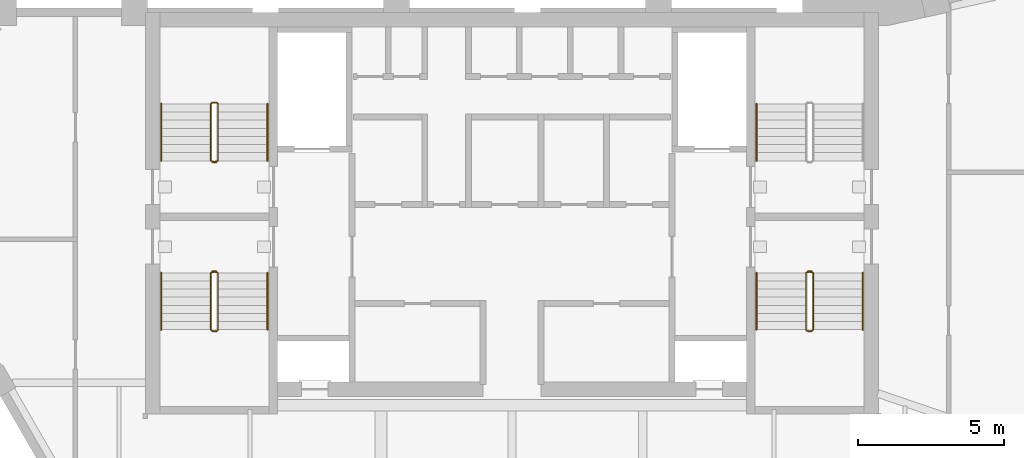
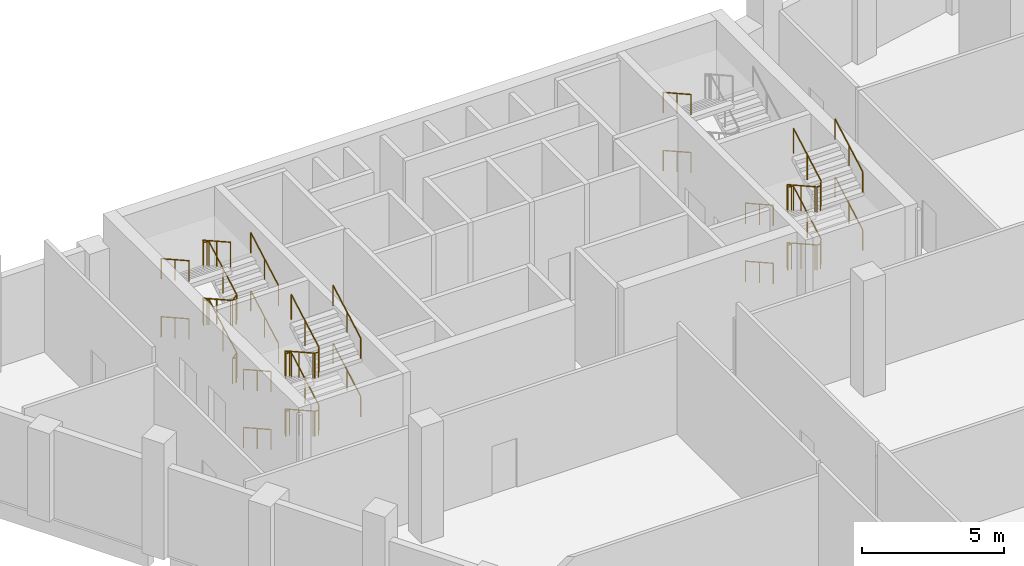
# One storey, part 8 of 9: 17 railings.
"""IFC4 building model written with IfcOpenShell, lengths in metres."""

from ifc_helpers import new_model, si_unit, direction, frame, origin, origin_2d, place, context, subcontext, project, spatial, circle, extrude, material, type_object, element, save


model = new_model("IFC4")

# Units and contexts
model_context = context("Model", 3, precision=1e-05, world=origin(), true_north=direction((0.0, 1.0)))
body_context = subcontext(model_context, "Body", "Model", "MODEL_VIEW")
ifc_project = project(units=[si_unit("LENGTHUNIT", "METRE"), si_unit("AREAUNIT", "SQUARE_METRE"), si_unit("VOLUMEUNIT", "CUBIC_METRE"), si_unit("PLANEANGLEUNIT", "RADIAN"), si_unit("MASSUNIT", "GRAM", prefix="KILO")], contexts=[model_context])

# Site, building, storey
site_placement = place(None, origin())
site = spatial("IfcSite", under=ifc_project, at=site_placement, CompositionType="ELEMENT")
building_placement = place(site_placement, origin())
building = spatial("IfcBuilding", under=site, at=building_placement, Name="Calabash Gate Tower", CompositionType="ELEMENT")
storey_placement = place(building_placement, frame((0.0, 0.0, 315.5)))
storey = spatial("IfcBuildingStorey", under=building, at=storey_placement, Name="L74", CompositionType="ELEMENT", Elevation=315.5)

# Railings
ifc_material_1 = material(Name="Black powder-coated steel balusters", Category="steel")
railing_type_1 = type_object("IfcRailingType", Name="Stair guard RL1100", PredefinedType="GUARDRAIL", material=ifc_material_1)
railing_1_placement = place(storey_placement, frame((-10.14990234375, 13.902587890625, 0.0)))
element("IfcRailing", 1, at=railing_1_placement, inside=storey, type_object=railing_type_1, Name="L74 ST1 stair guard 1", PredefinedType="GUARDRAIL", context=body_context, shape_type="SweptSolid", body=[
    extrude(circle(Radius=0.02392578125, at=origin_2d()), frame((0.0, 0.0, 1.076171875), z_axis=(-1.0, 0.0, 0.0), x_axis=(0.0, -1.0, 0.0)), (0.0, 0.0, 1.0), 0.150146484375),
    extrude(circle(Radius=0.02392578125, at=origin_2d()), frame((-0.150146484375, 0.0, 1.076171875), z_axis=(0.77305925043, 0.19350078918, 0.604100024756), x_axis=(-0.242814311512, 0.970072785993, 0.0)), (0.0, 0.0, 1.0), 0.258544921875),
    extrude(circle(Radius=0.02392578125, at=origin_2d()), frame((0.0498046875, 0.050048828125, 1.232421875), z_axis=(0.0, 0.872479975208, 0.48864986735), x_axis=(-1.0, 0.0, 0.0)), (0.0, 0.0, 1.0), 2.23828125),
    extrude(circle(Radius=0.02392578125, at=origin_2d()), frame((0.0498046875, 2.0029296875, 2.326171875), z_axis=(-0.705375805398, 0.708833529934, 0.0), x_axis=(-0.708833529934, -0.705375805398, 0.0)), (0.0, 0.0, 1.0), 0.070556640625),
    extrude(circle(Radius=0.02392578125, at=origin_2d()), frame((0.0, 2.052978515625, 2.326171875), z_axis=(-1.0, 0.0, 0.0), x_axis=(0.0, -1.0, 0.0)), (0.0, 0.0, 1.0), 0.150146484375),
    extrude(circle(Radius=0.02392578125, at=origin_2d()), frame((-0.150146484375, 2.052978515625, 2.326171875), z_axis=(-0.29177245553, -0.29177245553, 0.91089937336), x_axis=(0.707106781187, -0.707106781187, 0.0)), (0.0, 0.0, 1.0), 0.171630859375),
    extrude(circle(Radius=0.02392578125, at=origin_2d()), frame((-0.2001953125, 2.0029296875, 2.482421875), z_axis=(0.0, -0.872479975208, 0.48864986735), x_axis=(1.0, 0.0, 0.0)), (0.0, 0.0, 1.0), 2.23828125),
    extrude(circle(Radius=0.02392578125, at=origin_2d()), frame((-0.2001953125, 0.050048828125, 3.576171875), z_axis=(0.970142500145, -0.242535625036, 0.0), x_axis=(0.242535625036, 0.970142500145, 0.0)), (0.0, 0.0, 1.0), 0.206298828125),
    extrude(circle(Radius=0.02392578125, at=origin_2d()), frame((0.0, 0.0, 3.576171875), z_axis=(-1.0, 0.0, 0.0), x_axis=(0.0, -1.0, 0.0)), (0.0, 0.0, 1.0), 0.150146484375),
    extrude(circle(Radius=0.02392578125, at=origin_2d()), frame((-0.150146484375, 0.0, 3.576171875), z_axis=(0.77305925043, 0.19350078918, 0.604100024756), x_axis=(-0.242814311512, 0.970072785993, 0.0)), (0.0, 0.0, 1.0), 0.258544921875),
    extrude(circle(Radius=0.02392578125, at=origin_2d()), frame((0.0498046875, 0.050048828125, 3.732421875), z_axis=(0.0, 0.872479975208, 0.48864986735), x_axis=(-1.0, 0.0, 0.0)), (0.0, 0.0, 1.0), 2.23828125),
    extrude(circle(Radius=0.02392578125, at=origin_2d()), frame((0.0498046875, 2.0029296875, 4.826171875), z_axis=(-0.705375805398, 0.708833529934, 0.0), x_axis=(-0.708833529934, -0.705375805398, 0.0)), (0.0, 0.0, 1.0), 0.070556640625),
    extrude(circle(Radius=0.02392578125, at=origin_2d()), frame((0.0, 2.052978515625, 4.826171875), z_axis=(-1.0, 0.0, 0.0), x_axis=(0.0, -1.0, 0.0)), (0.0, 0.0, 1.0), 0.150146484375),
    extrude(circle(Radius=0.02392578125, at=origin_2d()), frame((-0.150146484375, 2.052978515625, 4.826171875), z_axis=(-0.29177245553, -0.29177245553, 0.91089937336), x_axis=(0.707106781187, -0.707106781187, 0.0)), (0.0, 0.0, 1.0), 0.171630859375),
    extrude(circle(Radius=0.02392578125, at=origin_2d()), frame((-0.2001953125, 2.0029296875, 4.982421875), z_axis=(0.0, -0.872479975208, 0.48864986735), x_axis=(1.0, 0.0, 0.0)), (0.0, 0.0, 1.0), 2.23828125),
    extrude(circle(Radius=0.02099609375, at=origin_2d()), origin(), (0.0, 0.0, 1.0), 1.052001953125),
    extrude(circle(Radius=0.02099609375, at=origin_2d()), frame((-0.150146484375, 0.0, 0.0)), (0.0, 0.0, 1.0), 1.052001953125),
    extrude(circle(Radius=0.02099609375, at=origin_2d()), frame((0.0498046875, 0.050048828125, 0.15625)), (0.0, 0.0, 1.0), 1.052001953125),
    extrude(circle(Radius=0.02099609375, at=origin_2d()), frame((0.0498046875, 1.0263671875, 0.703125)), (0.0, 0.0, 1.0), 1.052001953125),
    extrude(circle(Radius=0.02099609375, at=origin_2d()), frame((0.0498046875, 2.0029296875, 1.25)), (0.0, 0.0, 1.0), 1.052001953125),
    extrude(circle(Radius=0.02099609375, at=origin_2d()), frame((0.0, 2.052978515625, 1.25)), (0.0, 0.0, 1.0), 1.052001953125),
    extrude(circle(Radius=0.02099609375, at=origin_2d()), frame((-0.150146484375, 2.052978515625, 1.25)), (0.0, 0.0, 1.0), 1.052001953125),
    extrude(circle(Radius=0.02099609375, at=origin_2d()), frame((-0.2001953125, 2.0029296875, 1.40625)), (0.0, 0.0, 1.0), 1.052001953125),
    extrude(circle(Radius=0.02099609375, at=origin_2d()), frame((-0.2001953125, 1.0263671875, 1.953125)), (0.0, 0.0, 1.0), 1.052001953125),
    extrude(circle(Radius=0.02099609375, at=origin_2d()), frame((-0.2001953125, 0.050048828125, 2.5)), (0.0, 0.0, 1.0), 1.052001953125),
    extrude(circle(Radius=0.02099609375, at=origin_2d()), frame((0.0, 0.0, 2.5)), (0.0, 0.0, 1.0), 1.052001953125),
    extrude(circle(Radius=0.02099609375, at=origin_2d()), frame((-0.150146484375, 0.0, 2.5)), (0.0, 0.0, 1.0), 1.052001953125),
    extrude(circle(Radius=0.02099609375, at=origin_2d()), frame((0.0498046875, 0.050048828125, 2.65625)), (0.0, 0.0, 1.0), 1.052001953125),
    extrude(circle(Radius=0.02099609375, at=origin_2d()), frame((0.0498046875, 1.0263671875, 3.203125)), (0.0, 0.0, 1.0), 1.052001953125),
    extrude(circle(Radius=0.02099609375, at=origin_2d()), frame((0.0498046875, 2.0029296875, 3.75)), (0.0, 0.0, 1.0), 1.052001953125),
    extrude(circle(Radius=0.02099609375, at=origin_2d()), frame((0.0, 2.052978515625, 3.75)), (0.0, 0.0, 1.0), 1.052001953125),
    extrude(circle(Radius=0.02099609375, at=origin_2d()), frame((-0.150146484375, 2.052978515625, 3.75)), (0.0, 0.0, 1.0), 1.052001953125),
    extrude(circle(Radius=0.02099609375, at=origin_2d()), frame((-0.2001953125, 2.0029296875, 3.90625)), (0.0, 0.0, 1.0), 1.052001953125),
    extrude(circle(Radius=0.02099609375, at=origin_2d()), frame((-0.2001953125, 1.0263671875, 4.453125)), (0.0, 0.0, 1.0), 1.052001953125),
    extrude(circle(Radius=0.02099609375, at=origin_2d()), frame((-0.2001953125, 0.050048828125, 5.0)), (0.0, 0.0, 1.0), 1.052001953125),
])
railing_2_placement = place(storey_placement, frame((-10.300048828125, 10.152587890625, 0.0)))
element("IfcRailing", 2, at=railing_2_placement, inside=storey, type_object=railing_type_1, Name="L74 ST2 stair guard 1", PredefinedType="GUARDRAIL", context=body_context, shape_type="SweptSolid", body=[
    extrude(circle(Radius=0.02392578125, at=origin_2d()), frame((0.0, 0.0, 1.076171875), z_axis=(1.0, 0.0, 0.0), x_axis=(0.0, 1.0, 0.0)), (0.0, 0.0, 1.0), 0.150146484375),
    extrude(circle(Radius=0.02392578125, at=origin_2d()), frame((0.150146484375, 0.0, 1.076171875), z_axis=(-0.773438643492, -0.193359660873, 0.603659429067), x_axis=(0.242535625036, -0.970142500145, 0.0)), (0.0, 0.0, 1.0), 0.2587890625),
    extrude(circle(Radius=0.02392578125, at=origin_2d()), frame((-0.050048828125, -0.050048828125, 1.232421875), z_axis=(0.0, -0.872479975208, 0.48864986735), x_axis=(1.0, 0.0, 0.0)), (0.0, 0.0, 1.0), 2.23828125),
    extrude(circle(Radius=0.02392578125, at=origin_2d()), frame((-0.050048828125, -2.0029296875, 2.326171875), z_axis=(0.707106781187, -0.707106781187, 0.0), x_axis=(0.707106781187, 0.707106781187, 0.0)), (0.0, 0.0, 1.0), 0.07080078125),
    extrude(circle(Radius=0.02392578125, at=origin_2d()), frame((0.0, -2.052978515625, 2.326171875), z_axis=(1.0, 0.0, 0.0), x_axis=(0.0, 1.0, 0.0)), (0.0, 0.0, 1.0), 0.150146484375),
    extrude(circle(Radius=0.02392578125, at=origin_2d()), frame((0.150146484375, -2.052978515625, 2.326171875), z_axis=(0.290469530425, 0.291893400672, 0.911276958196), x_axis=(-0.708833529934, 0.705375805398, 0.0)), (0.0, 0.0, 1.0), 0.17138671875),
    extrude(circle(Radius=0.02392578125, at=origin_2d()), frame((0.199951171875, -2.0029296875, 2.482421875), z_axis=(0.0, 0.872479975208, 0.48864986735), x_axis=(-1.0, 0.0, 0.0)), (0.0, 0.0, 1.0), 2.23828125),
    extrude(circle(Radius=0.02392578125, at=origin_2d()), frame((0.199951171875, -0.050048828125, 3.576171875), z_axis=(-0.970072785993, 0.242814311512, 0.0), x_axis=(-0.242814311512, -0.970072785993, 0.0)), (0.0, 0.0, 1.0), 0.2060546875),
    extrude(circle(Radius=0.02392578125, at=origin_2d()), frame((0.0, 0.0, 3.576171875), z_axis=(1.0, 0.0, 0.0), x_axis=(0.0, 1.0, 0.0)), (0.0, 0.0, 1.0), 0.150146484375),
    extrude(circle(Radius=0.02392578125, at=origin_2d()), frame((0.150146484375, 0.0, 3.576171875), z_axis=(-0.773438643492, -0.193359660873, 0.603659429067), x_axis=(0.242535625036, -0.970142500145, 0.0)), (0.0, 0.0, 1.0), 0.2587890625),
    extrude(circle(Radius=0.02392578125, at=origin_2d()), frame((-0.050048828125, -0.050048828125, 3.732421875), z_axis=(0.0, -0.872479975208, 0.48864986735), x_axis=(1.0, 0.0, 0.0)), (0.0, 0.0, 1.0), 2.23828125),
    extrude(circle(Radius=0.02392578125, at=origin_2d()), frame((-0.050048828125, -2.0029296875, 4.826171875), z_axis=(0.707106781187, -0.707106781187, 0.0), x_axis=(0.707106781187, 0.707106781187, 0.0)), (0.0, 0.0, 1.0), 0.07080078125),
    extrude(circle(Radius=0.02392578125, at=origin_2d()), frame((0.0, -2.052978515625, 4.826171875), z_axis=(1.0, 0.0, 0.0), x_axis=(0.0, 1.0, 0.0)), (0.0, 0.0, 1.0), 0.150146484375),
    extrude(circle(Radius=0.02392578125, at=origin_2d()), frame((0.150146484375, -2.052978515625, 4.826171875), z_axis=(0.290469530425, 0.291893400672, 0.911276958196), x_axis=(-0.708833529934, 0.705375805398, 0.0)), (0.0, 0.0, 1.0), 0.17138671875),
    extrude(circle(Radius=0.02392578125, at=origin_2d()), frame((0.199951171875, -2.0029296875, 4.982421875), z_axis=(0.0, 0.872479975208, 0.48864986735), x_axis=(-1.0, 0.0, 0.0)), (0.0, 0.0, 1.0), 2.23828125),
    extrude(circle(Radius=0.02099609375, at=origin_2d()), origin(), (0.0, 0.0, 1.0), 1.052001953125),
    extrude(circle(Radius=0.02099609375, at=origin_2d()), frame((0.150146484375, 0.0, 0.0)), (0.0, 0.0, 1.0), 1.052001953125),
    extrude(circle(Radius=0.02099609375, at=origin_2d()), frame((-0.050048828125, -0.050048828125, 0.15625)), (0.0, 0.0, 1.0), 1.052001953125),
    extrude(circle(Radius=0.02099609375, at=origin_2d()), frame((-0.050048828125, -1.0263671875, 0.703125)), (0.0, 0.0, 1.0), 1.052001953125),
    extrude(circle(Radius=0.02099609375, at=origin_2d()), frame((-0.050048828125, -2.0029296875, 1.25)), (0.0, 0.0, 1.0), 1.052001953125),
    extrude(circle(Radius=0.02099609375, at=origin_2d()), frame((0.0, -2.052978515625, 1.25)), (0.0, 0.0, 1.0), 1.052001953125),
    extrude(circle(Radius=0.02099609375, at=origin_2d()), frame((0.150146484375, -2.052978515625, 1.25)), (0.0, 0.0, 1.0), 1.052001953125),
    extrude(circle(Radius=0.02099609375, at=origin_2d()), frame((0.199951171875, -2.0029296875, 1.40625)), (0.0, 0.0, 1.0), 1.052001953125),
    extrude(circle(Radius=0.02099609375, at=origin_2d()), frame((0.199951171875, -1.0263671875, 1.953125)), (0.0, 0.0, 1.0), 1.052001953125),
    extrude(circle(Radius=0.02099609375, at=origin_2d()), frame((0.199951171875, -0.050048828125, 2.5)), (0.0, 0.0, 1.0), 1.052001953125),
    extrude(circle(Radius=0.02099609375, at=origin_2d()), frame((0.0, 0.0, 2.5)), (0.0, 0.0, 1.0), 1.052001953125),
    extrude(circle(Radius=0.02099609375, at=origin_2d()), frame((0.150146484375, 0.0, 2.5)), (0.0, 0.0, 1.0), 1.052001953125),
    extrude(circle(Radius=0.02099609375, at=origin_2d()), frame((-0.050048828125, -0.050048828125, 2.65625)), (0.0, 0.0, 1.0), 1.052001953125),
    extrude(circle(Radius=0.02099609375, at=origin_2d()), frame((-0.050048828125, -1.0263671875, 3.203125)), (0.0, 0.0, 1.0), 1.052001953125),
    extrude(circle(Radius=0.02099609375, at=origin_2d()), frame((-0.050048828125, -2.0029296875, 3.75)), (0.0, 0.0, 1.0), 1.052001953125),
    extrude(circle(Radius=0.02099609375, at=origin_2d()), frame((0.0, -2.052978515625, 3.75)), (0.0, 0.0, 1.0), 1.052001953125),
    extrude(circle(Radius=0.02099609375, at=origin_2d()), frame((0.150146484375, -2.052978515625, 3.75)), (0.0, 0.0, 1.0), 1.052001953125),
    extrude(circle(Radius=0.02099609375, at=origin_2d()), frame((0.199951171875, -2.0029296875, 3.90625)), (0.0, 0.0, 1.0), 1.052001953125),
    extrude(circle(Radius=0.02099609375, at=origin_2d()), frame((0.199951171875, -1.0263671875, 4.453125)), (0.0, 0.0, 1.0), 1.052001953125),
    extrude(circle(Radius=0.02099609375, at=origin_2d()), frame((0.199951171875, -0.050048828125, 5.0)), (0.0, 0.0, 1.0), 1.052001953125),
])
railing_3_placement = place(storey_placement, frame((10.14990234375, 10.152587890625, 0.0)))
element("IfcRailing", 3, at=railing_3_placement, inside=storey, type_object=railing_type_1, Name="L74 ST4 stair guard 1", PredefinedType="GUARDRAIL", context=body_context, shape_type="SweptSolid", body=[
    extrude(circle(Radius=0.02392578125, at=origin_2d()), frame((0.0, 0.0, 1.076171875), z_axis=(1.0, 0.0, 0.0), x_axis=(0.0, 1.0, 0.0)), (0.0, 0.0, 1.0), 0.150146484375),
    extrude(circle(Radius=0.02392578125, at=origin_2d()), frame((0.150146484375, 0.0, 1.076171875), z_axis=(-0.77305925043, -0.19350078918, 0.604100024756), x_axis=(0.242814311512, -0.970072785993, 0.0)), (0.0, 0.0, 1.0), 0.258544921875),
    extrude(circle(Radius=0.02392578125, at=origin_2d()), frame((-0.0498046875, -0.050048828125, 1.232421875), z_axis=(0.0, -0.872479975208, 0.48864986735), x_axis=(1.0, 0.0, 0.0)), (0.0, 0.0, 1.0), 2.23828125),
    extrude(circle(Radius=0.02392578125, at=origin_2d()), frame((-0.0498046875, -2.0029296875, 2.326171875), z_axis=(0.705375805398, -0.708833529934, 0.0), x_axis=(0.708833529934, 0.705375805398, 0.0)), (0.0, 0.0, 1.0), 0.070556640625),
    extrude(circle(Radius=0.02392578125, at=origin_2d()), frame((0.0, -2.052978515625, 2.326171875), z_axis=(1.0, 0.0, 0.0), x_axis=(0.0, 1.0, 0.0)), (0.0, 0.0, 1.0), 0.150146484375),
    extrude(circle(Radius=0.02392578125, at=origin_2d()), frame((0.150146484375, -2.052978515625, 2.326171875), z_axis=(0.29177245553, 0.29177245553, 0.91089937336), x_axis=(-0.707106781187, 0.707106781187, 0.0)), (0.0, 0.0, 1.0), 0.171630859375),
    extrude(circle(Radius=0.02392578125, at=origin_2d()), frame((0.2001953125, -2.0029296875, 2.482421875), z_axis=(0.0, 0.872479975208, 0.48864986735), x_axis=(-1.0, 0.0, 0.0)), (0.0, 0.0, 1.0), 2.23828125),
    extrude(circle(Radius=0.02392578125, at=origin_2d()), frame((0.2001953125, -0.050048828125, 3.576171875), z_axis=(-0.970142500145, 0.242535625036, 0.0), x_axis=(-0.242535625036, -0.970142500145, 0.0)), (0.0, 0.0, 1.0), 0.206298828125),
    extrude(circle(Radius=0.02392578125, at=origin_2d()), frame((0.0, 0.0, 3.576171875), z_axis=(1.0, 0.0, 0.0), x_axis=(0.0, 1.0, 0.0)), (0.0, 0.0, 1.0), 0.150146484375),
    extrude(circle(Radius=0.02392578125, at=origin_2d()), frame((0.150146484375, 0.0, 3.576171875), z_axis=(-0.77305925043, -0.19350078918, 0.604100024756), x_axis=(0.242814311512, -0.970072785993, 0.0)), (0.0, 0.0, 1.0), 0.258544921875),
    extrude(circle(Radius=0.02392578125, at=origin_2d()), frame((-0.0498046875, -0.050048828125, 3.732421875), z_axis=(0.0, -0.872479975208, 0.48864986735), x_axis=(1.0, 0.0, 0.0)), (0.0, 0.0, 1.0), 2.23828125),
    extrude(circle(Radius=0.02392578125, at=origin_2d()), frame((-0.0498046875, -2.0029296875, 4.826171875), z_axis=(0.705375805398, -0.708833529934, 0.0), x_axis=(0.708833529934, 0.705375805398, 0.0)), (0.0, 0.0, 1.0), 0.070556640625),
    extrude(circle(Radius=0.02392578125, at=origin_2d()), frame((0.0, -2.052978515625, 4.826171875), z_axis=(1.0, 0.0, 0.0), x_axis=(0.0, 1.0, 0.0)), (0.0, 0.0, 1.0), 0.150146484375),
    extrude(circle(Radius=0.02392578125, at=origin_2d()), frame((0.150146484375, -2.052978515625, 4.826171875), z_axis=(0.29177245553, 0.29177245553, 0.91089937336), x_axis=(-0.707106781187, 0.707106781187, 0.0)), (0.0, 0.0, 1.0), 0.171630859375),
    extrude(circle(Radius=0.02392578125, at=origin_2d()), frame((0.2001953125, -2.0029296875, 4.982421875), z_axis=(0.0, 0.872479975208, 0.48864986735), x_axis=(-1.0, 0.0, 0.0)), (0.0, 0.0, 1.0), 2.23828125),
    extrude(circle(Radius=0.02099609375, at=origin_2d()), origin(), (0.0, 0.0, 1.0), 1.052001953125),
    extrude(circle(Radius=0.02099609375, at=origin_2d()), frame((0.150146484375, 0.0, 0.0)), (0.0, 0.0, 1.0), 1.052001953125),
    extrude(circle(Radius=0.02099609375, at=origin_2d()), frame((-0.0498046875, -0.050048828125, 0.15625)), (0.0, 0.0, 1.0), 1.052001953125),
    extrude(circle(Radius=0.02099609375, at=origin_2d()), frame((-0.0498046875, -1.0263671875, 0.703125)), (0.0, 0.0, 1.0), 1.052001953125),
    extrude(circle(Radius=0.02099609375, at=origin_2d()), frame((-0.0498046875, -2.0029296875, 1.25)), (0.0, 0.0, 1.0), 1.052001953125),
    extrude(circle(Radius=0.02099609375, at=origin_2d()), frame((0.0, -2.052978515625, 1.25)), (0.0, 0.0, 1.0), 1.052001953125),
    extrude(circle(Radius=0.02099609375, at=origin_2d()), frame((0.150146484375, -2.052978515625, 1.25)), (0.0, 0.0, 1.0), 1.052001953125),
    extrude(circle(Radius=0.02099609375, at=origin_2d()), frame((0.2001953125, -2.0029296875, 1.40625)), (0.0, 0.0, 1.0), 1.052001953125),
    extrude(circle(Radius=0.02099609375, at=origin_2d()), frame((0.2001953125, -1.0263671875, 1.953125)), (0.0, 0.0, 1.0), 1.052001953125),
    extrude(circle(Radius=0.02099609375, at=origin_2d()), frame((0.2001953125, -0.050048828125, 2.5)), (0.0, 0.0, 1.0), 1.052001953125),
    extrude(circle(Radius=0.02099609375, at=origin_2d()), frame((0.0, 0.0, 2.5)), (0.0, 0.0, 1.0), 1.052001953125),
    extrude(circle(Radius=0.02099609375, at=origin_2d()), frame((0.150146484375, 0.0, 2.5)), (0.0, 0.0, 1.0), 1.052001953125),
    extrude(circle(Radius=0.02099609375, at=origin_2d()), frame((-0.0498046875, -0.050048828125, 2.65625)), (0.0, 0.0, 1.0), 1.052001953125),
    extrude(circle(Radius=0.02099609375, at=origin_2d()), frame((-0.0498046875, -1.0263671875, 3.203125)), (0.0, 0.0, 1.0), 1.052001953125),
    extrude(circle(Radius=0.02099609375, at=origin_2d()), frame((-0.0498046875, -2.0029296875, 3.75)), (0.0, 0.0, 1.0), 1.052001953125),
    extrude(circle(Radius=0.02099609375, at=origin_2d()), frame((0.0, -2.052978515625, 3.75)), (0.0, 0.0, 1.0), 1.052001953125),
    extrude(circle(Radius=0.02099609375, at=origin_2d()), frame((0.150146484375, -2.052978515625, 3.75)), (0.0, 0.0, 1.0), 1.052001953125),
    extrude(circle(Radius=0.02099609375, at=origin_2d()), frame((0.2001953125, -2.0029296875, 3.90625)), (0.0, 0.0, 1.0), 1.052001953125),
    extrude(circle(Radius=0.02099609375, at=origin_2d()), frame((0.2001953125, -1.0263671875, 4.453125)), (0.0, 0.0, 1.0), 1.052001953125),
    extrude(circle(Radius=0.02099609375, at=origin_2d()), frame((0.2001953125, -0.050048828125, 5.0)), (0.0, 0.0, 1.0), 1.052001953125),
])
ifc_material_2 = material(Name="Black powder-coated steel tube 48 mm", Category="steel")
railing_type_2 = type_object("IfcRailingType", Name="Stair handrail RL900", PredefinedType="HANDRAIL", material=ifc_material_2)
railing_4_placement = place(storey_placement, frame((-8.39990234375, 13.95263671875, 0.15625)))
element("IfcRailing", 4, at=railing_4_placement, inside=storey, type_object=railing_type_2, Name="L74 ST1 stair handrail 1", PredefinedType="HANDRAIL", context=body_context, shape_type="SweptSolid", body=[
    extrude(circle(Radius=0.02392578125, at=origin_2d()), frame((0.0, 0.0, 0.8759765625), z_axis=(0.0, 0.872479975208, 0.48864986735), x_axis=(-1.0, 0.0, 0.0)), (0.0, 0.0, 1.0), 2.23828125),
    extrude(circle(Radius=0.02099609375, at=origin_2d()), origin(), (0.0, 0.0, 1.0), 0.851806640625),
    extrude(circle(Radius=0.02099609375, at=origin_2d()), frame((0.0, 0.9765625, 0.546875)), (0.0, 0.0, 1.0), 0.851806640625),
    extrude(circle(Radius=0.02099609375, at=origin_2d()), frame((0.0, 1.952880859375, 1.09375)), (0.0, 0.0, 1.0), 0.851806640625),
])
railing_5_placement = place(storey_placement, frame((-12.050048828125, 15.905517578125, 1.40625)))
element("IfcRailing", 5, at=railing_5_placement, inside=storey, type_object=railing_type_2, Name="L74 ST1 stair handrail 2", PredefinedType="HANDRAIL", context=body_context, shape_type="SweptSolid", body=[
    extrude(circle(Radius=0.02392578125, at=origin_2d()), frame((0.0, 0.0, 0.8759765625), z_axis=(0.0, -0.872479975208, 0.48864986735), x_axis=(1.0, 0.0, 0.0)), (0.0, 0.0, 1.0), 2.23828125),
    extrude(circle(Radius=0.02099609375, at=origin_2d()), origin(), (0.0, 0.0, 1.0), 0.851806640625),
    extrude(circle(Radius=0.02099609375, at=origin_2d()), frame((0.0, -0.9765625, 0.546875)), (0.0, 0.0, 1.0), 0.851806640625),
    extrude(circle(Radius=0.02099609375, at=origin_2d()), frame((0.0, -1.952880859375, 1.09375)), (0.0, 0.0, 1.0), 0.851806640625),
])
railing_6_placement = place(storey_placement, frame((-8.39990234375, 13.95263671875, 2.65625)))
element("IfcRailing", 6, at=railing_6_placement, inside=storey, type_object=railing_type_2, Name="L74 ST1 stair handrail 3", PredefinedType="HANDRAIL", context=body_context, shape_type="SweptSolid", body=[
    extrude(circle(Radius=0.02392578125, at=origin_2d()), frame((0.0, 0.0, 0.8759765625), z_axis=(0.0, 0.872479975208, 0.48864986735), x_axis=(-1.0, 0.0, 0.0)), (0.0, 0.0, 1.0), 2.23828125),
    extrude(circle(Radius=0.02099609375, at=origin_2d()), origin(), (0.0, 0.0, 1.0), 0.851806640625),
    extrude(circle(Radius=0.02099609375, at=origin_2d()), frame((0.0, 0.9765625, 0.546875)), (0.0, 0.0, 1.0), 0.851806640625),
    extrude(circle(Radius=0.02099609375, at=origin_2d()), frame((0.0, 1.952880859375, 1.09375)), (0.0, 0.0, 1.0), 0.851806640625),
])
for number, where, name in (
    (7, (-12.050048828125, 15.905517578125, 3.90625), "L74 ST1 stair handrail 4"),
    (8, (-12.050048828125, 10.1025390625, 0.15625), "L74 ST2 stair handrail 1"),
):
    element("IfcRailing", number, at=place(storey_placement, frame(where)), inside=storey, type_object=railing_type_2, Name=name, PredefinedType="HANDRAIL", context=body_context, shape_type="SweptSolid", body=[
        extrude(circle(Radius=0.02392578125, at=origin_2d()), frame((0.0, 0.0, 0.8759765625), z_axis=(0.0, -0.872479975208, 0.48864986735), x_axis=(1.0, 0.0, 0.0)), (0.0, 0.0, 1.0), 2.23828125),
        extrude(circle(Radius=0.02099609375, at=origin_2d()), origin(), (0.0, 0.0, 1.0), 0.851806640625),
        extrude(circle(Radius=0.02099609375, at=origin_2d()), frame((0.0, -0.9765625, 0.546875)), (0.0, 0.0, 1.0), 0.851806640625),
        extrude(circle(Radius=0.02099609375, at=origin_2d()), frame((0.0, -1.952880859375, 1.09375)), (0.0, 0.0, 1.0), 0.851806640625),
    ])
railing_7_placement = place(storey_placement, frame((-8.39990234375, 8.149658203125, 1.40625)))
element("IfcRailing", 9, at=railing_7_placement, inside=storey, type_object=railing_type_2, Name="L74 ST2 stair handrail 2", PredefinedType="HANDRAIL", context=body_context, shape_type="SweptSolid", body=[
    extrude(circle(Radius=0.02392578125, at=origin_2d()), frame((0.0, 0.0, 0.8759765625), z_axis=(0.0, 0.872479975208, 0.48864986735), x_axis=(-1.0, 0.0, 0.0)), (0.0, 0.0, 1.0), 2.23828125),
    extrude(circle(Radius=0.02099609375, at=origin_2d()), origin(), (0.0, 0.0, 1.0), 0.851806640625),
    extrude(circle(Radius=0.02099609375, at=origin_2d()), frame((0.0, 0.9765625, 0.546875)), (0.0, 0.0, 1.0), 0.851806640625),
    extrude(circle(Radius=0.02099609375, at=origin_2d()), frame((0.0, 1.952880859375, 1.09375)), (0.0, 0.0, 1.0), 0.851806640625),
])
railing_8_placement = place(storey_placement, frame((-12.050048828125, 10.1025390625, 2.65625)))
element("IfcRailing", 10, at=railing_8_placement, inside=storey, type_object=railing_type_2, Name="L74 ST2 stair handrail 3", PredefinedType="HANDRAIL", context=body_context, shape_type="SweptSolid", body=[
    extrude(circle(Radius=0.02392578125, at=origin_2d()), frame((0.0, 0.0, 0.8759765625), z_axis=(0.0, -0.872479975208, 0.48864986735), x_axis=(1.0, 0.0, 0.0)), (0.0, 0.0, 1.0), 2.23828125),
    extrude(circle(Radius=0.02099609375, at=origin_2d()), origin(), (0.0, 0.0, 1.0), 0.851806640625),
    extrude(circle(Radius=0.02099609375, at=origin_2d()), frame((0.0, -0.9765625, 0.546875)), (0.0, 0.0, 1.0), 0.851806640625),
    extrude(circle(Radius=0.02099609375, at=origin_2d()), frame((0.0, -1.952880859375, 1.09375)), (0.0, 0.0, 1.0), 0.851806640625),
])
railing_9_placement = place(storey_placement, frame((-8.39990234375, 8.149658203125, 3.90625)))
element("IfcRailing", 11, at=railing_9_placement, inside=storey, type_object=railing_type_2, Name="L74 ST2 stair handrail 4", PredefinedType="HANDRAIL", context=body_context, shape_type="SweptSolid", body=[
    extrude(circle(Radius=0.02392578125, at=origin_2d()), frame((0.0, 0.0, 0.8759765625), z_axis=(0.0, 0.872479975208, 0.48864986735), x_axis=(-1.0, 0.0, 0.0)), (0.0, 0.0, 1.0), 2.23828125),
    extrude(circle(Radius=0.02099609375, at=origin_2d()), origin(), (0.0, 0.0, 1.0), 0.851806640625),
    extrude(circle(Radius=0.02099609375, at=origin_2d()), frame((0.0, 0.9765625, 0.546875)), (0.0, 0.0, 1.0), 0.851806640625),
    extrude(circle(Radius=0.02099609375, at=origin_2d()), frame((0.0, 1.952880859375, 1.09375)), (0.0, 0.0, 1.0), 0.851806640625),
])
for number, where, name in (
    (12, (8.39990234375, 15.905517578125, 1.40625), "L74 ST3 stair handrail 2"),
    (13, (8.39990234375, 15.905517578125, 3.90625), "L74 ST3 stair handrail 4"),
    (14, (8.39990234375, 10.1025390625, 0.15625), "L74 ST4 stair handrail 1"),
):
    element("IfcRailing", number, at=place(storey_placement, frame(where)), inside=storey, type_object=railing_type_2, Name=name, PredefinedType="HANDRAIL", context=body_context, shape_type="SweptSolid", body=[
        extrude(circle(Radius=0.02392578125, at=origin_2d()), frame((0.0, 0.0, 0.8759765625), z_axis=(0.0, -0.872479975208, 0.48864986735), x_axis=(1.0, 0.0, 0.0)), (0.0, 0.0, 1.0), 2.23828125),
        extrude(circle(Radius=0.02099609375, at=origin_2d()), origin(), (0.0, 0.0, 1.0), 0.851806640625),
        extrude(circle(Radius=0.02099609375, at=origin_2d()), frame((0.0, -0.9765625, 0.546875)), (0.0, 0.0, 1.0), 0.851806640625),
        extrude(circle(Radius=0.02099609375, at=origin_2d()), frame((0.0, -1.952880859375, 1.09375)), (0.0, 0.0, 1.0), 0.851806640625),
    ])
railing_10_placement = place(storey_placement, frame((12.050048828125, 8.149658203125, 1.40625)))
element("IfcRailing", 15, at=railing_10_placement, inside=storey, type_object=railing_type_2, Name="L74 ST4 stair handrail 2", PredefinedType="HANDRAIL", context=body_context, shape_type="SweptSolid", body=[
    extrude(circle(Radius=0.02392578125, at=origin_2d()), frame((0.0, 0.0, 0.8759765625), z_axis=(0.0, 0.872479975208, 0.48864986735), x_axis=(-1.0, 0.0, 0.0)), (0.0, 0.0, 1.0), 2.23828125),
    extrude(circle(Radius=0.02099609375, at=origin_2d()), origin(), (0.0, 0.0, 1.0), 0.851806640625),
    extrude(circle(Radius=0.02099609375, at=origin_2d()), frame((0.0, 0.9765625, 0.546875)), (0.0, 0.0, 1.0), 0.851806640625),
    extrude(circle(Radius=0.02099609375, at=origin_2d()), frame((0.0, 1.952880859375, 1.09375)), (0.0, 0.0, 1.0), 0.851806640625),
])
railing_11_placement = place(storey_placement, frame((8.39990234375, 10.1025390625, 2.65625)))
element("IfcRailing", 16, at=railing_11_placement, inside=storey, type_object=railing_type_2, Name="L74 ST4 stair handrail 3", PredefinedType="HANDRAIL", context=body_context, shape_type="SweptSolid", body=[
    extrude(circle(Radius=0.02392578125, at=origin_2d()), frame((0.0, 0.0, 0.8759765625), z_axis=(0.0, -0.872479975208, 0.48864986735), x_axis=(1.0, 0.0, 0.0)), (0.0, 0.0, 1.0), 2.23828125),
    extrude(circle(Radius=0.02099609375, at=origin_2d()), origin(), (0.0, 0.0, 1.0), 0.851806640625),
    extrude(circle(Radius=0.02099609375, at=origin_2d()), frame((0.0, -0.9765625, 0.546875)), (0.0, 0.0, 1.0), 0.851806640625),
    extrude(circle(Radius=0.02099609375, at=origin_2d()), frame((0.0, -1.952880859375, 1.09375)), (0.0, 0.0, 1.0), 0.851806640625),
])
railing_12_placement = place(storey_placement, frame((12.050048828125, 8.149658203125, 3.90625)))
element("IfcRailing", 17, at=railing_12_placement, inside=storey, type_object=railing_type_2, Name="L74 ST4 stair handrail 4", PredefinedType="HANDRAIL", context=body_context, shape_type="SweptSolid", body=[
    extrude(circle(Radius=0.02392578125, at=origin_2d()), frame((0.0, 0.0, 0.8759765625), z_axis=(0.0, 0.872479975208, 0.48864986735), x_axis=(-1.0, 0.0, 0.0)), (0.0, 0.0, 1.0), 2.23828125),
    extrude(circle(Radius=0.02099609375, at=origin_2d()), origin(), (0.0, 0.0, 1.0), 0.851806640625),
    extrude(circle(Radius=0.02099609375, at=origin_2d()), frame((0.0, 0.9765625, 0.546875)), (0.0, 0.0, 1.0), 0.851806640625),
    extrude(circle(Radius=0.02099609375, at=origin_2d()), frame((0.0, 1.952880859375, 1.09375)), (0.0, 0.0, 1.0), 0.851806640625),
])

save(model, "model.ifc")
